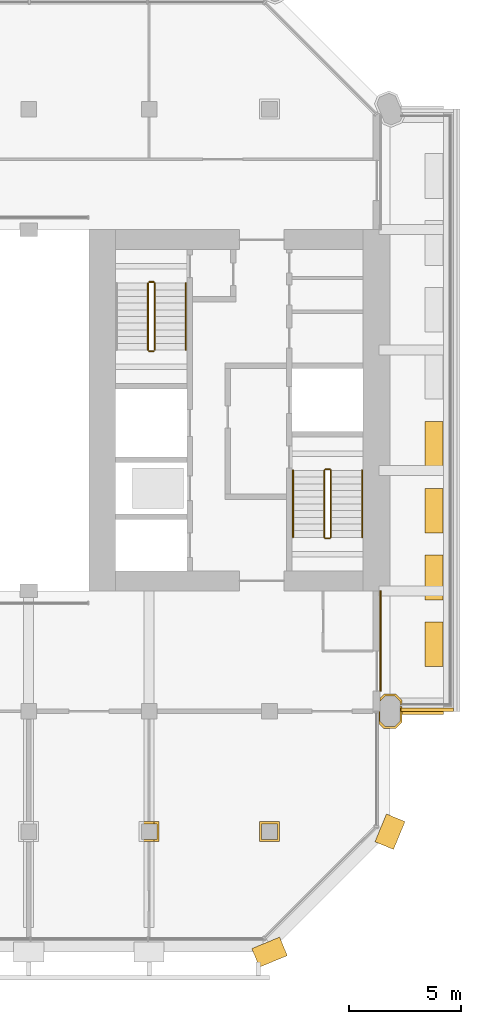
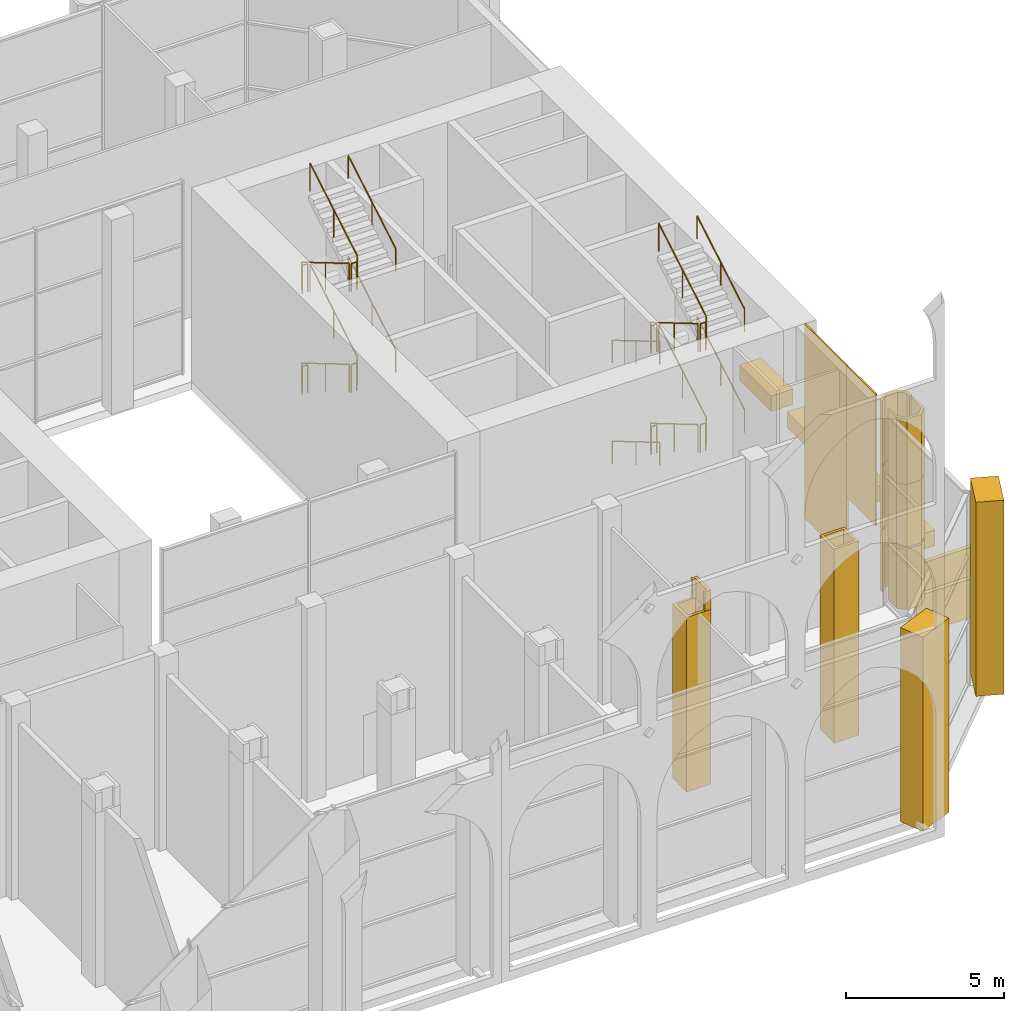
# One storey, part 17 of 20: 22 railings, 19 coverings.
"""IFC4 building model written with IfcOpenShell, lengths in metres."""

from ifc_helpers import new_model, si_unit, direction, frame, frame_2d, origin, origin_2d, place, context, subcontext, project, spatial, polyline, rectangle, circle, outline, extrude, material, layer, layer_set, type_object, element, save


model = new_model("IFC4")

# Units and contexts
model_context = context("Model", 3, precision=1e-05, world=origin(), true_north=direction((0.0, 1.0)))
body_context = subcontext(model_context, "Body", "Model", "MODEL_VIEW")
ifc_project = project(units=[si_unit("LENGTHUNIT", "METRE"), si_unit("AREAUNIT", "SQUARE_METRE"), si_unit("VOLUMEUNIT", "CUBIC_METRE"), si_unit("PLANEANGLEUNIT", "RADIAN"), si_unit("MASSUNIT", "GRAM", prefix="KILO")], contexts=[model_context])

# Site, building, storey
site_placement = place(None, origin())
site = spatial("IfcSite", under=ifc_project, at=site_placement, CompositionType="ELEMENT")
building_placement = place(site_placement, origin())
building = spatial("IfcBuilding", under=site, at=building_placement, Name="Tabaq Tower and Sports Hall", CompositionType="ELEMENT")
storey_placement = place(building_placement, frame((0.0, 0.0, 243.10009765625)))
storey = spatial("IfcBuildingStorey", under=building, at=storey_placement, Name="L60", CompositionType="ELEMENT", Elevation=243.10009765625)

# Coverings
ifc_material_1 = material(Name="Precast concrete C60/75", Category="concrete")
ifc_layer_1 = layer(ifc_material_1, 0.10009765625)
ifc_layer_set_1 = layer_set([ifc_layer_1], Name="Column cladding 100")
covering_type_1 = type_object("IfcCoveringType", Name="Column cladding 100", PredefinedType="CLADDING", material=ifc_layer_set_1)
covering_1_placement = place(storey_placement, origin())
element("IfcCovering", 1, at=covering_1_placement, inside=storey, type_object=covering_type_1, Name="Column cladding L60 CC-7B-S2", PredefinedType="CLADDING", context=body_context, shape_type="SweptSolid", body=[
    extrude(outline(polyline([(31.9501953125, 5.849609375), (32.849609375, 5.849609375), (32.849609375, 4.9501953125), (31.9501953125, 4.9501953125), (31.9501953125, 5.849609375)]), holes=[polyline([(32.750244140625, 5.0498046875), (32.750244140625, 5.750244140625), (32.0498046875, 5.750244140625), (32.0498046875, 5.0498046875), (32.750244140625, 5.0498046875)])]), origin(), (0.0, 0.0, 1.0), 6.75),
])
covering_2_placement = place(storey_placement, frame((0.0, 0.0, 6.75)))
element("IfcCovering", 2, at=covering_2_placement, inside=storey, type_object=covering_type_1, Name="Column cladding L60 CC-7B-S2 head", PredefinedType="CLADDING", context=body_context, shape_type="SweptSolid", body=[
    extrude(outline(polyline([(32.62548828125, 5.04931640625), (32.75048828125, 5.04931640625), (32.75048828125, 5.75048828125), (32.62548828125, 5.75048828125), (32.62548828125, 5.849365234375), (32.849365234375, 5.849365234375), (32.849365234375, 4.95068359375), (32.62548828125, 4.95068359375), (32.62548828125, 5.04931640625)])), origin(), (0.0, 0.0, 1.0), 0.75),
])
covering_3_placement = place(storey_placement, origin())
element("IfcCovering", 3, at=covering_3_placement, inside=storey, type_object=covering_type_1, Name="Column cladding L60 CC-8B-S2", PredefinedType="CLADDING", context=body_context, shape_type="SweptSolid", body=[
    extrude(outline(polyline([(37.350341796875, 5.849609375), (38.249755859375, 5.849609375), (38.249755859375, 4.9501953125), (37.350341796875, 4.9501953125), (37.350341796875, 5.849609375)]), holes=[polyline([(38.150390625, 5.0498046875), (38.150390625, 5.750244140625), (37.44970703125, 5.750244140625), (37.44970703125, 5.0498046875), (38.150390625, 5.0498046875)])]), origin(), (0.0, 0.0, 1.0), 7.5),
])
covering_4_placement = place(storey_placement, frame((0.0, 0.0, 0.114990234375)))
element("IfcCovering", 4, at=covering_4_placement, inside=storey, type_object=covering_type_1, Name="Column cladding L60 PC-9C-S2", PredefinedType="CLADDING", context=body_context, shape_type="SweptSolid", body=[
    extrude(outline(polyline([(42.93359375, 10.025390625), (42.7001953125, 10.2587890625), (42.7001953125, 10.7998046875), (42.749755859375, 10.7998046875), (42.749755859375, 10.349853515625), (42.974853515625, 10.124755859375), (43.425048828125, 10.124755859375), (43.650390625, 10.349853515625), (43.650390625, 11.009765625), (43.749755859375, 11.009765625), (43.749755859375, 10.9501953125), (43.69970703125, 10.9501953125), (43.69970703125, 10.7998046875), (43.749755859375, 10.7998046875), (43.749755859375, 10.30859375), (43.46630859375, 10.025390625), (42.93359375, 10.025390625)])), origin(), (0.0, 0.0, 1.0), 2.349853515625),
])
covering_5_placement = place(storey_placement, frame((0.0, 0.0, 0.114990234375)))
element("IfcCovering", 5, at=covering_5_placement, inside=storey, type_object=covering_type_1, Name="Column cladding L60 PC-9C-S2 2", PredefinedType="CLADDING", context=body_context, shape_type="SweptSolid", body=[
    extrude(outline(polyline([(42.93359375, 11.57470703125), (43.46630859375, 11.57470703125), (43.749755859375, 11.291259765625), (43.749755859375, 11.1103515625), (43.69970703125, 11.1103515625), (43.69970703125, 11.09033203125), (43.650390625, 11.09033203125), (43.650390625, 11.250244140625), (43.425048828125, 11.475341796875), (42.974853515625, 11.475341796875), (42.750244140625, 11.250732421875), (42.750244140625, 11.391357421875), (42.93359375, 11.57470703125)])), origin(), (0.0, 0.0, 1.0), 2.349853515625),
])
covering_6_placement = place(storey_placement, frame((0.0, 0.0, 2.534912109375)))
element("IfcCovering", 6, at=covering_6_placement, inside=storey, type_object=covering_type_1, Name="Column cladding L60 PC-9C-S2 2", PredefinedType="CLADDING", context=body_context, shape_type="SweptSolid", body=[
    extrude(outline(polyline([(42.93359375, 10.025390625), (42.7001953125, 10.2587890625), (42.7001953125, 10.7998046875), (42.749755859375, 10.7998046875), (42.749755859375, 10.349853515625), (42.974853515625, 10.124755859375), (43.425048828125, 10.124755859375), (43.650390625, 10.349853515625), (43.650390625, 11.009765625), (43.749755859375, 11.009765625), (43.749755859375, 10.9501953125), (43.69970703125, 10.9501953125), (43.69970703125, 10.7998046875), (43.749755859375, 10.7998046875), (43.749755859375, 10.30859375), (43.46630859375, 10.025390625), (42.93359375, 10.025390625)])), origin(), (0.0, 0.0, 1.0), 2.429931640625),
])
covering_7_placement = place(storey_placement, frame((0.0, 0.0, 2.534912109375)))
element("IfcCovering", 7, at=covering_7_placement, inside=storey, type_object=covering_type_1, Name="Column cladding L60 PC-9C-S2 2 2", PredefinedType="CLADDING", context=body_context, shape_type="SweptSolid", body=[
    extrude(outline(polyline([(42.93359375, 11.57470703125), (43.46630859375, 11.57470703125), (43.749755859375, 11.291259765625), (43.749755859375, 11.1103515625), (43.69970703125, 11.1103515625), (43.69970703125, 11.09033203125), (43.650390625, 11.09033203125), (43.650390625, 11.250244140625), (43.425048828125, 11.475341796875), (42.974853515625, 11.475341796875), (42.750244140625, 11.250732421875), (42.750244140625, 11.391357421875), (42.93359375, 11.57470703125)])), origin(), (0.0, 0.0, 1.0), 2.429931640625),
])
covering_8_placement = place(storey_placement, frame((0.0, 0.0, 4.96484375)))
element("IfcCovering", 8, at=covering_8_placement, inside=storey, type_object=covering_type_1, Name="Column cladding L60 PC-9C-S2 head", PredefinedType="CLADDING", context=body_context, shape_type="SweptSolid", body=[
    extrude(outline(polyline([(42.7001953125, 10.2587890625), (42.7001953125, 10.7998046875), (42.749755859375, 10.7998046875), (42.749755859375, 10.349853515625), (42.974853515625, 10.124755859375), (43.425048828125, 10.124755859375), (43.650390625, 10.349853515625), (43.650390625, 11.009765625), (43.749755859375, 11.009765625), (43.749755859375, 10.9501953125), (43.69970703125, 10.9501953125), (43.69970703125, 10.7998046875), (43.749755859375, 10.7998046875), (43.749755859375, 10.30859375), (43.46630859375, 10.025390625), (42.93359375, 10.025390625), (42.7001953125, 10.2587890625)])), origin(), (0.0, 0.0, 1.0), 2.53515625),
])
covering_9_placement = place(storey_placement, frame((0.0, 0.0, 4.96484375)))
element("IfcCovering", 9, at=covering_9_placement, inside=storey, type_object=covering_type_1, Name="Column cladding L60 PC-9C-S2 head 2", PredefinedType="CLADDING", context=body_context, shape_type="SweptSolid", body=[
    extrude(outline(polyline([(43.46630859375, 11.57470703125), (43.749755859375, 11.291259765625), (43.749755859375, 11.1103515625), (43.69970703125, 11.1103515625), (43.69970703125, 11.09033203125), (43.650390625, 11.09033203125), (43.650390625, 11.250244140625), (43.425048828125, 11.475341796875), (42.974853515625, 11.475341796875), (42.750244140625, 11.250732421875), (42.750244140625, 11.391357421875), (42.93359375, 11.57470703125), (43.46630859375, 11.57470703125)])), origin(), (0.0, 0.0, 1.0), 2.53515625),
])
ifc_material_2 = material(Name="White precast concrete C60/75", Category="concrete")
covering_type_2 = type_object("IfcCoveringType", Name="Pier cladding hung 1350x900", PredefinedType="CLADDING", material=ifc_material_2)
for number, where, z_axis, x_axis, name in (
    (10, (37.17626953125, -0.25830078125, 0.0), (0.0, 0.0, 1.0), (0.923893411637, 0.382649923473, 0.0), "Hung pier cladding 7/0"),
    (11, (42.941650390625, 4.7763671875, 0.0), (0.0, 0.0, 1.0), (0.382649923473, 0.923893411637, 0.0), "Hung pier cladding 8/1"),
):
    element("IfcCovering", number, at=place(storey_placement, frame(where, z_axis=z_axis, x_axis=x_axis)), inside=storey, type_object=covering_type_2, Name=name, PredefinedType="CLADDING", context=body_context, shape_type="SweptSolid", body=[
        extrude(rectangle(XDim=1.35009765625, YDim=0.89990234375, at=frame_2d((0.675048828125, 0.0))), origin(), (0.0, 0.0, 1.0), 7.5),
    ])
ifc_material_3 = material(Name="Planting soil and drainage layer")
covering_type_3 = type_object("IfcCoveringType", Name="Planter 2000x800x600", PredefinedType="USERDEFINED", material=ifc_material_3)
for number, where, z_axis, x_axis, name in (
    (12, (45.169921875, 13.800048828125, -0.000244140625), (0.0, 0.0, 1.0), (0.0, 1.0, 0.0), "Planter L60"),
    (13, (45.169921875, 16.800048828125, -0.000244140625), (0.0, 0.0, 1.0), (0.0, 1.0, 0.0), "Planter L60"),
    (14, (45.169921875, 19.800048828125, -0.000244140625), (0.0, 0.0, 1.0), (0.0, 1.0, 0.0), "Planter L60"),
    (15, (45.169921875, 22.800048828125, -0.000244140625), (0.0, 0.0, 1.0), (0.0, 1.0, 0.0), "Planter L60"),
):
    element("IfcCovering", number, at=place(storey_placement, frame(where, z_axis=z_axis, x_axis=x_axis)), inside=storey, type_object=covering_type_3, Name=name, ObjectType="PLANTER", PredefinedType="USERDEFINED", context=body_context, shape_type="SweptSolid", body=[
        extrude(rectangle(XDim=2.0, YDim=0.800048828125, at=origin_2d()), origin(), (0.0, 0.0, 1.0), 0.60009765625),
    ])

# Railings
ifc_material_4 = material(Name="Stainless steel", Category="steel")
railing_type_1 = type_object("IfcRailingType", Name="Stair guard", PredefinedType="GUARDRAIL", material=ifc_material_4)
railing_1_placement = place(storey_placement, frame((40.25, 21.60009765625, 0.17724609375)))
element("IfcRailing", 16, at=railing_1_placement, inside=storey, type_object=railing_type_1, Name="L60 ST3 stair guard 1", PredefinedType="GUARDRAIL", context=body_context, shape_type="SweptSolid", body=[
    extrude(circle(Radius=0.02392578125, at=origin_2d()), frame((0.0, 0.0, 1.076171875), z_axis=(0.0, -0.86092931783, 0.508724591208), x_axis=(1.0, 0.0, 0.0)), (0.0, 0.0, 1.0), 3.484619140625),
    extrude(circle(Radius=0.02099609375, at=origin_2d()), origin(), (0.0, 0.0, 1.0), 1.052001953125),
    extrude(circle(Radius=0.02099609375, at=origin_2d()), frame((0.0, -1.5, 0.88623046875)), (0.0, 0.0, 1.0), 1.052001953125),
    extrude(circle(Radius=0.02099609375, at=origin_2d()), frame((0.0, -3.0, 1.772705078125)), (0.0, 0.0, 1.0), 1.052001953125),
])
railing_2_placement = place(storey_placement, frame((40.300048828125, 18.550048828125, 1.949951171875)))
element("IfcRailing", 17, at=railing_2_placement, inside=storey, type_object=railing_type_1, Name="L60 ST3 stair guard 2", PredefinedType="GUARDRAIL", context=body_context, shape_type="SweptSolid", body=[
    extrude(circle(Radius=0.02392578125, at=origin_2d()), frame((0.0, 0.0, 1.076171875), z_axis=(1.0, 0.0, 0.0), x_axis=(0.0, 1.0, 0.0)), (0.0, 0.0, 1.0), 0.199951171875),
    extrude(circle(Radius=0.02099609375, at=origin_2d()), origin(), (0.0, 0.0, 1.0), 1.052001953125),
    extrude(circle(Radius=0.02099609375, at=origin_2d()), frame((0.199951171875, 0.0, 0.0)), (0.0, 0.0, 1.0), 1.052001953125),
])
railing_3_placement = place(storey_placement, frame((40.550048828125, 18.60009765625, 2.127197265625)))
element("IfcRailing", 18, at=railing_3_placement, inside=storey, type_object=railing_type_1, Name="L60 ST3 stair guard 3", PredefinedType="GUARDRAIL", context=body_context, shape_type="SweptSolid", body=[
    extrude(circle(Radius=0.02392578125, at=origin_2d()), frame((0.0, 0.0, 1.076171875), z_axis=(0.0, 0.86092931783, 0.508724591208), x_axis=(-1.0, 0.0, 0.0)), (0.0, 0.0, 1.0), 3.484619140625),
    extrude(circle(Radius=0.02099609375, at=origin_2d()), origin(), (0.0, 0.0, 1.0), 1.052001953125),
    extrude(circle(Radius=0.02099609375, at=origin_2d()), frame((0.0, 1.5, 0.88623046875)), (0.0, 0.0, 1.0), 1.052001953125),
    extrude(circle(Radius=0.02099609375, at=origin_2d()), frame((0.0, 3.0, 1.772705078125)), (0.0, 0.0, 1.0), 1.052001953125),
])
railing_4_placement = place(storey_placement, frame((40.300048828125, 21.64990234375, 3.89990234375)))
element("IfcRailing", 19, at=railing_4_placement, inside=storey, type_object=railing_type_1, Name="L60 ST3 stair guard 4", PredefinedType="GUARDRAIL", context=body_context, shape_type="SweptSolid", body=[
    extrude(circle(Radius=0.02392578125, at=origin_2d()), frame((0.0, 0.0, 1.076171875), z_axis=(1.0, 0.0, 0.0), x_axis=(0.0, 1.0, 0.0)), (0.0, 0.0, 1.0), 0.199951171875),
    extrude(circle(Radius=0.02099609375, at=origin_2d()), origin(), (0.0, 0.0, 1.0), 1.052001953125),
    extrude(circle(Radius=0.02099609375, at=origin_2d()), frame((0.199951171875, 0.0, 0.0)), (0.0, 0.0, 1.0), 1.052001953125),
])
railing_5_placement = place(storey_placement, frame((40.25, 21.60009765625, 4.0771484375)))
element("IfcRailing", 20, at=railing_5_placement, inside=storey, type_object=railing_type_1, Name="L60 ST3 stair guard 5", PredefinedType="GUARDRAIL", context=body_context, shape_type="SweptSolid", body=[
    extrude(circle(Radius=0.02392578125, at=origin_2d()), frame((0.0, 0.0, 1.076171875), z_axis=(0.0, -0.86092931783, 0.508724591208), x_axis=(1.0, 0.0, 0.0)), (0.0, 0.0, 1.0), 3.484619140625),
    extrude(circle(Radius=0.02099609375, at=origin_2d()), origin(), (0.0, 0.0, 1.0), 1.052001953125),
    extrude(circle(Radius=0.02099609375, at=origin_2d()), frame((0.0, -1.5, 0.88623046875)), (0.0, 0.0, 1.0), 1.052001953125),
    extrude(circle(Radius=0.02099609375, at=origin_2d()), frame((0.0, -3.0, 1.772705078125)), (0.0, 0.0, 1.0), 1.052001953125),
])
railing_6_placement = place(storey_placement, frame((40.300048828125, 18.550048828125, 5.849853515625)))
element("IfcRailing", 21, at=railing_6_placement, inside=storey, type_object=railing_type_1, Name="L60 ST3 stair guard 6", PredefinedType="GUARDRAIL", context=body_context, shape_type="SweptSolid", body=[
    extrude(circle(Radius=0.02392578125, at=origin_2d()), frame((0.0, 0.0, 1.076171875), z_axis=(1.0, 0.0, 0.0), x_axis=(0.0, 1.0, 0.0)), (0.0, 0.0, 1.0), 0.199951171875),
    extrude(circle(Radius=0.02099609375, at=origin_2d()), origin(), (0.0, 0.0, 1.0), 1.052001953125),
    extrude(circle(Radius=0.02099609375, at=origin_2d()), frame((0.199951171875, 0.0, 0.0)), (0.0, 0.0, 1.0), 1.052001953125),
])
railing_7_placement = place(storey_placement, frame((40.550048828125, 18.60009765625, 6.027099609375)))
element("IfcRailing", 22, at=railing_7_placement, inside=storey, type_object=railing_type_1, Name="L60 ST3 stair guard 7", PredefinedType="GUARDRAIL", context=body_context, shape_type="SweptSolid", body=[
    extrude(circle(Radius=0.02392578125, at=origin_2d()), frame((0.0, 0.0, 1.076171875), z_axis=(0.0, 0.86092931783, 0.508724591208), x_axis=(-1.0, 0.0, 0.0)), (0.0, 0.0, 1.0), 3.484619140625),
    extrude(circle(Radius=0.02099609375, at=origin_2d()), origin(), (0.0, 0.0, 1.0), 1.052001953125),
    extrude(circle(Radius=0.02099609375, at=origin_2d()), frame((0.0, 1.5, 0.88623046875)), (0.0, 0.0, 1.0), 1.052001953125),
    extrude(circle(Radius=0.02099609375, at=origin_2d()), frame((0.0, 3.0, 1.772705078125)), (0.0, 0.0, 1.0), 1.052001953125),
])
railing_8_placement = place(storey_placement, frame((40.300048828125, 21.64990234375, 0.0)))
element("IfcRailing", 23, at=railing_8_placement, inside=storey, type_object=railing_type_1, Name="L60 ST3 stair guard 8", PredefinedType="GUARDRAIL", context=body_context, shape_type="SweptSolid", body=[
    extrude(circle(Radius=0.02392578125, at=origin_2d()), frame((0.0, 0.0, 1.076171875), z_axis=(1.0, 0.0, 0.0), x_axis=(0.0, 1.0, 0.0)), (0.0, 0.0, 1.0), 0.199951171875),
    extrude(circle(Radius=0.02099609375, at=origin_2d()), origin(), (0.0, 0.0, 1.0), 1.052001953125),
    extrude(circle(Radius=0.02099609375, at=origin_2d()), frame((0.199951171875, 0.0, 0.0)), (0.0, 0.0, 1.0), 1.052001953125),
])
railing_9_placement = place(storey_placement, frame((32.35009765625, 30.0, 0.17724609375)))
element("IfcRailing", 24, at=railing_9_placement, inside=storey, type_object=railing_type_1, Name="L60 ST4 stair guard 1", PredefinedType="GUARDRAIL", context=body_context, shape_type="SweptSolid", body=[
    extrude(circle(Radius=0.02392578125, at=origin_2d()), frame((0.0, 0.0, 1.076171875), z_axis=(0.0, -0.86092931783, 0.508724591208), x_axis=(1.0, 0.0, 0.0)), (0.0, 0.0, 1.0), 3.484619140625),
    extrude(circle(Radius=0.02099609375, at=origin_2d()), origin(), (0.0, 0.0, 1.0), 1.052001953125),
    extrude(circle(Radius=0.02099609375, at=origin_2d()), frame((0.0, -1.5, 0.88623046875)), (0.0, 0.0, 1.0), 1.052001953125),
    extrude(circle(Radius=0.02099609375, at=origin_2d()), frame((0.0, -3.0, 1.772705078125)), (0.0, 0.0, 1.0), 1.052001953125),
])
railing_10_placement = place(storey_placement, frame((32.39990234375, 26.949951171875, 1.949951171875)))
element("IfcRailing", 25, at=railing_10_placement, inside=storey, type_object=railing_type_1, Name="L60 ST4 stair guard 2", PredefinedType="GUARDRAIL", context=body_context, shape_type="SweptSolid", body=[
    extrude(circle(Radius=0.02392578125, at=origin_2d()), frame((0.0, 0.0, 1.076171875), z_axis=(1.0, 0.0, 0.0), x_axis=(0.0, 1.0, 0.0)), (0.0, 0.0, 1.0), 0.2001953125),
    extrude(circle(Radius=0.02099609375, at=origin_2d()), origin(), (0.0, 0.0, 1.0), 1.052001953125),
    extrude(circle(Radius=0.02099609375, at=origin_2d()), frame((0.2001953125, 0.0, 0.0)), (0.0, 0.0, 1.0), 1.052001953125),
])
railing_11_placement = place(storey_placement, frame((32.64990234375, 27.0, 2.127197265625)))
element("IfcRailing", 26, at=railing_11_placement, inside=storey, type_object=railing_type_1, Name="L60 ST4 stair guard 3", PredefinedType="GUARDRAIL", context=body_context, shape_type="SweptSolid", body=[
    extrude(circle(Radius=0.02392578125, at=origin_2d()), frame((0.0, 0.0, 1.076171875), z_axis=(0.0, 0.86092931783, 0.508724591208), x_axis=(-1.0, 0.0, 0.0)), (0.0, 0.0, 1.0), 3.484619140625),
    extrude(circle(Radius=0.02099609375, at=origin_2d()), origin(), (0.0, 0.0, 1.0), 1.052001953125),
    extrude(circle(Radius=0.02099609375, at=origin_2d()), frame((0.0, 1.5, 0.88623046875)), (0.0, 0.0, 1.0), 1.052001953125),
    extrude(circle(Radius=0.02099609375, at=origin_2d()), frame((0.0, 3.0, 1.772705078125)), (0.0, 0.0, 1.0), 1.052001953125),
])
railing_12_placement = place(storey_placement, frame((32.39990234375, 30.050048828125, 3.89990234375)))
element("IfcRailing", 27, at=railing_12_placement, inside=storey, type_object=railing_type_1, Name="L60 ST4 stair guard 4", PredefinedType="GUARDRAIL", context=body_context, shape_type="SweptSolid", body=[
    extrude(circle(Radius=0.02392578125, at=origin_2d()), frame((0.0, 0.0, 1.076171875), z_axis=(1.0, 0.0, 0.0), x_axis=(0.0, 1.0, 0.0)), (0.0, 0.0, 1.0), 0.2001953125),
    extrude(circle(Radius=0.02099609375, at=origin_2d()), origin(), (0.0, 0.0, 1.0), 1.052001953125),
    extrude(circle(Radius=0.02099609375, at=origin_2d()), frame((0.2001953125, 0.0, 0.0)), (0.0, 0.0, 1.0), 1.052001953125),
])
railing_13_placement = place(storey_placement, frame((32.35009765625, 30.0, 4.0771484375)))
element("IfcRailing", 28, at=railing_13_placement, inside=storey, type_object=railing_type_1, Name="L60 ST4 stair guard 5", PredefinedType="GUARDRAIL", context=body_context, shape_type="SweptSolid", body=[
    extrude(circle(Radius=0.02392578125, at=origin_2d()), frame((0.0, 0.0, 1.076171875), z_axis=(0.0, -0.86092931783, 0.508724591208), x_axis=(1.0, 0.0, 0.0)), (0.0, 0.0, 1.0), 3.484619140625),
    extrude(circle(Radius=0.02099609375, at=origin_2d()), origin(), (0.0, 0.0, 1.0), 1.052001953125),
    extrude(circle(Radius=0.02099609375, at=origin_2d()), frame((0.0, -1.5, 0.88623046875)), (0.0, 0.0, 1.0), 1.052001953125),
    extrude(circle(Radius=0.02099609375, at=origin_2d()), frame((0.0, -3.0, 1.772705078125)), (0.0, 0.0, 1.0), 1.052001953125),
])
railing_14_placement = place(storey_placement, frame((32.39990234375, 26.949951171875, 5.849853515625)))
element("IfcRailing", 29, at=railing_14_placement, inside=storey, type_object=railing_type_1, Name="L60 ST4 stair guard 6", PredefinedType="GUARDRAIL", context=body_context, shape_type="SweptSolid", body=[
    extrude(circle(Radius=0.02392578125, at=origin_2d()), frame((0.0, 0.0, 1.076171875), z_axis=(1.0, 0.0, 0.0), x_axis=(0.0, 1.0, 0.0)), (0.0, 0.0, 1.0), 0.2001953125),
    extrude(circle(Radius=0.02099609375, at=origin_2d()), origin(), (0.0, 0.0, 1.0), 1.052001953125),
    extrude(circle(Radius=0.02099609375, at=origin_2d()), frame((0.2001953125, 0.0, 0.0)), (0.0, 0.0, 1.0), 1.052001953125),
])
railing_15_placement = place(storey_placement, frame((32.64990234375, 27.0, 6.027099609375)))
element("IfcRailing", 30, at=railing_15_placement, inside=storey, type_object=railing_type_1, Name="L60 ST4 stair guard 7", PredefinedType="GUARDRAIL", context=body_context, shape_type="SweptSolid", body=[
    extrude(circle(Radius=0.02392578125, at=origin_2d()), frame((0.0, 0.0, 1.076171875), z_axis=(0.0, 0.86092931783, 0.508724591208), x_axis=(-1.0, 0.0, 0.0)), (0.0, 0.0, 1.0), 3.484619140625),
    extrude(circle(Radius=0.02099609375, at=origin_2d()), origin(), (0.0, 0.0, 1.0), 1.052001953125),
    extrude(circle(Radius=0.02099609375, at=origin_2d()), frame((0.0, 1.5, 0.88623046875)), (0.0, 0.0, 1.0), 1.052001953125),
    extrude(circle(Radius=0.02099609375, at=origin_2d()), frame((0.0, 3.0, 1.772705078125)), (0.0, 0.0, 1.0), 1.052001953125),
])
railing_16_placement = place(storey_placement, frame((32.39990234375, 30.050048828125, 0.0)))
element("IfcRailing", 31, at=railing_16_placement, inside=storey, type_object=railing_type_1, Name="L60 ST4 stair guard 8", PredefinedType="GUARDRAIL", context=body_context, shape_type="SweptSolid", body=[
    extrude(circle(Radius=0.02392578125, at=origin_2d()), frame((0.0, 0.0, 1.076171875), z_axis=(1.0, 0.0, 0.0), x_axis=(0.0, 1.0, 0.0)), (0.0, 0.0, 1.0), 0.2001953125),
    extrude(circle(Radius=0.02099609375, at=origin_2d()), origin(), (0.0, 0.0, 1.0), 1.052001953125),
    extrude(circle(Radius=0.02099609375, at=origin_2d()), frame((0.2001953125, 0.0, 0.0)), (0.0, 0.0, 1.0), 1.052001953125),
])
ifc_material_5 = material(Name="Stainless steel", Category="steel")
railing_type_2 = type_object("IfcRailingType", Name="Stair handrail", PredefinedType="HANDRAIL", material=ifc_material_5)
railing_17_placement = place(storey_placement, frame((38.85009765625, 21.60009765625, 0.17724609375)))
element("IfcRailing", 32, at=railing_17_placement, inside=storey, type_object=railing_type_2, Name="L60 ST3 stair handrail 1", PredefinedType="HANDRAIL", context=body_context, shape_type="SweptSolid", body=[
    extrude(circle(Radius=0.02392578125, at=origin_2d()), frame((0.0, 0.0, 0.8759765625), z_axis=(0.0, -0.86092931783, 0.508724591208), x_axis=(1.0, 0.0, 0.0)), (0.0, 0.0, 1.0), 3.484619140625),
    extrude(circle(Radius=0.02099609375, at=origin_2d()), origin(), (0.0, 0.0, 1.0), 0.851806640625),
    extrude(circle(Radius=0.02099609375, at=origin_2d()), frame((0.0, -1.5, 0.88623046875)), (0.0, 0.0, 1.0), 0.851806640625),
    extrude(circle(Radius=0.02099609375, at=origin_2d()), frame((0.0, -3.0, 1.772705078125)), (0.0, 0.0, 1.0), 0.851806640625),
])
railing_18_placement = place(storey_placement, frame((41.949951171875, 18.60009765625, 2.127197265625)))
element("IfcRailing", 33, at=railing_18_placement, inside=storey, type_object=railing_type_2, Name="L60 ST3 stair handrail 2", PredefinedType="HANDRAIL", context=body_context, shape_type="SweptSolid", body=[
    extrude(circle(Radius=0.02392578125, at=origin_2d()), frame((0.0, 0.0, 0.8759765625), z_axis=(0.0, 0.86092931783, 0.508724591208), x_axis=(-1.0, 0.0, 0.0)), (0.0, 0.0, 1.0), 3.484619140625),
    extrude(circle(Radius=0.02099609375, at=origin_2d()), origin(), (0.0, 0.0, 1.0), 0.851806640625),
    extrude(circle(Radius=0.02099609375, at=origin_2d()), frame((0.0, 1.5, 0.88623046875)), (0.0, 0.0, 1.0), 0.851806640625),
    extrude(circle(Radius=0.02099609375, at=origin_2d()), frame((0.0, 3.0, 1.772705078125)), (0.0, 0.0, 1.0), 0.851806640625),
])
railing_19_placement = place(storey_placement, frame((38.85009765625, 21.60009765625, 4.0771484375)))
element("IfcRailing", 34, at=railing_19_placement, inside=storey, type_object=railing_type_2, Name="L60 ST3 stair handrail 3", PredefinedType="HANDRAIL", context=body_context, shape_type="SweptSolid", body=[
    extrude(circle(Radius=0.02392578125, at=origin_2d()), frame((0.0, 0.0, 0.8759765625), z_axis=(0.0, -0.86092931783, 0.508724591208), x_axis=(1.0, 0.0, 0.0)), (0.0, 0.0, 1.0), 3.484619140625),
    extrude(circle(Radius=0.02099609375, at=origin_2d()), origin(), (0.0, 0.0, 1.0), 0.851806640625),
    extrude(circle(Radius=0.02099609375, at=origin_2d()), frame((0.0, -1.5, 0.88623046875)), (0.0, 0.0, 1.0), 0.851806640625),
    extrude(circle(Radius=0.02099609375, at=origin_2d()), frame((0.0, -3.0, 1.772705078125)), (0.0, 0.0, 1.0), 0.851806640625),
])
for number, where, name in (
    (35, (41.949951171875, 18.60009765625, 6.027099609375), "L60 ST3 stair handrail 4"),
    (36, (34.050048828125, 27.0, 2.127197265625), "L60 ST4 stair handrail 2"),
    (37, (34.050048828125, 27.0, 6.027099609375), "L60 ST4 stair handrail 4"),
):
    element("IfcRailing", number, at=place(storey_placement, frame(where)), inside=storey, type_object=railing_type_2, Name=name, PredefinedType="HANDRAIL", context=body_context, shape_type="SweptSolid", body=[
        extrude(circle(Radius=0.02392578125, at=origin_2d()), frame((0.0, 0.0, 0.8759765625), z_axis=(0.0, 0.86092931783, 0.508724591208), x_axis=(-1.0, 0.0, 0.0)), (0.0, 0.0, 1.0), 3.484619140625),
        extrude(circle(Radius=0.02099609375, at=origin_2d()), origin(), (0.0, 0.0, 1.0), 0.851806640625),
        extrude(circle(Radius=0.02099609375, at=origin_2d()), frame((0.0, 1.5, 0.88623046875)), (0.0, 0.0, 1.0), 0.851806640625),
        extrude(circle(Radius=0.02099609375, at=origin_2d()), frame((0.0, 3.0, 1.772705078125)), (0.0, 0.0, 1.0), 0.851806640625),
    ])

# Coverings
ifc_material_6 = material(Name="Precast concrete C60/75", Category="concrete")
ifc_layer_2 = layer(ifc_material_6, 0.14990234375)
ifc_layer_set_2 = layer_set([ifc_layer_2], Name="Tray fascia 1200")
covering_type_4 = type_object("IfcCoveringType", Name="Tray fascia 1200", PredefinedType="CLADDING", material=ifc_layer_set_2)
covering_10_placement = place(storey_placement, frame((43.64990234375, 10.72509765625, -1.5), z_axis=(0.0, 0.0, 1.0), x_axis=(1.0, 0.0, 0.0)))
element("IfcCovering", 38, at=covering_10_placement, inside=storey, type_object=covering_type_4, Name="Tray fascia L60 EBT", PredefinedType="CLADDING", context=body_context, shape_type="SweptSolid", body=[
    extrude(rectangle(XDim=1.9501953125, YDim=0.14990234375, at=frame_2d((0.97509765625, 0.0))), origin(), (0.0, 0.0, 1.0), 1.5),
])
ifc_material_7 = material(Name="Precast concrete C60/75", Category="concrete")
ifc_layer_3 = layer(ifc_material_7, 0.14990234375)
ifc_layer_set_3 = layer_set([ifc_layer_3], Name="Tray upstand cladding 1100")
covering_type_5 = type_object("IfcCoveringType", Name="Tray upstand cladding 1100", PredefinedType="CLADDING", material=ifc_layer_set_3)
covering_11_placement = place(storey_placement, frame((43.699951171875, 10.875, 0.0), z_axis=(0.0, 0.0, 1.0), x_axis=(1.0, 0.0, 0.0)))
element("IfcCovering", 39, at=covering_11_placement, inside=storey, type_object=covering_type_5, Name="Tray upstand cladding L60", PredefinedType="CLADDING", context=body_context, shape_type="SweptSolid", body=[
    extrude(rectangle(XDim=2.35009765625, YDim=0.14990234375, at=frame_2d((1.175048828125, 0.0))), origin(), (0.0, 0.0, 1.0), 1.099853515625),
])
ifc_material_8 = material(Name="Precast concrete C60/75", Category="concrete")
ifc_layer_4 = layer(ifc_material_8, 0.06005859375)
ifc_layer_set_4 = layer_set([ifc_layer_4], Name="White precast cladding panel 60 C60/75")
covering_type_6 = type_object("IfcCoveringType", Name="White precast cladding panel 60 C60/75", PredefinedType="CLADDING", material=ifc_layer_set_4)
covering_12_placement = place(storey_placement, frame((42.780029296875, 11.68994140625, 2.409912109375), z_axis=(0.0, 0.0, 1.0), x_axis=(0.0, 1.0, 0.0)))
element("IfcCovering", 40, at=covering_12_placement, inside=storey, type_object=covering_type_6, Name="White precast cladding panel L60 infill02-0-1", PredefinedType="CLADDING", context=body_context, shape_type="SweptSolid", body=[
    extrude(rectangle(XDim=1.820068359375, YDim=0.06005859375, at=frame_2d((0.91015625, 0.0))), origin(), (0.0, 0.0, 1.0), 5.090087890625),
])
covering_13_placement = place(storey_placement, frame((42.780029296875, 13.510009765625, 0.0), z_axis=(0.0, 0.0, 1.0), x_axis=(0.0, 1.0, 0.0)))
element("IfcCovering", 41, at=covering_13_placement, inside=storey, type_object=covering_type_6, Name="White precast cladding panel L60 infill02-0-1 2", PredefinedType="CLADDING", context=body_context, shape_type="SweptSolid", body=[
    extrude(rectangle(XDim=2.68994140625, YDim=0.06005859375, at=frame_2d((1.344970703125, 0.0))), origin(), (0.0, 0.0, 1.0), 7.5),
])

save(model, "model.ifc")
